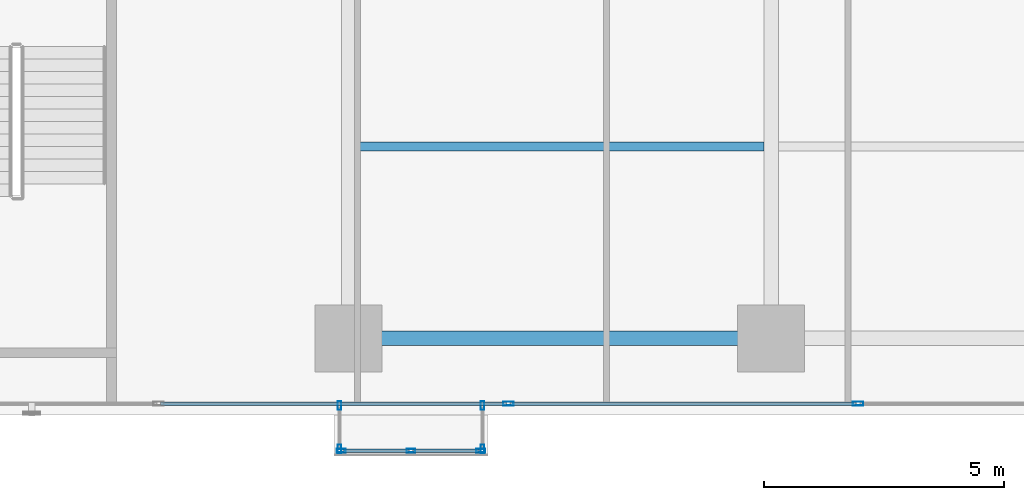
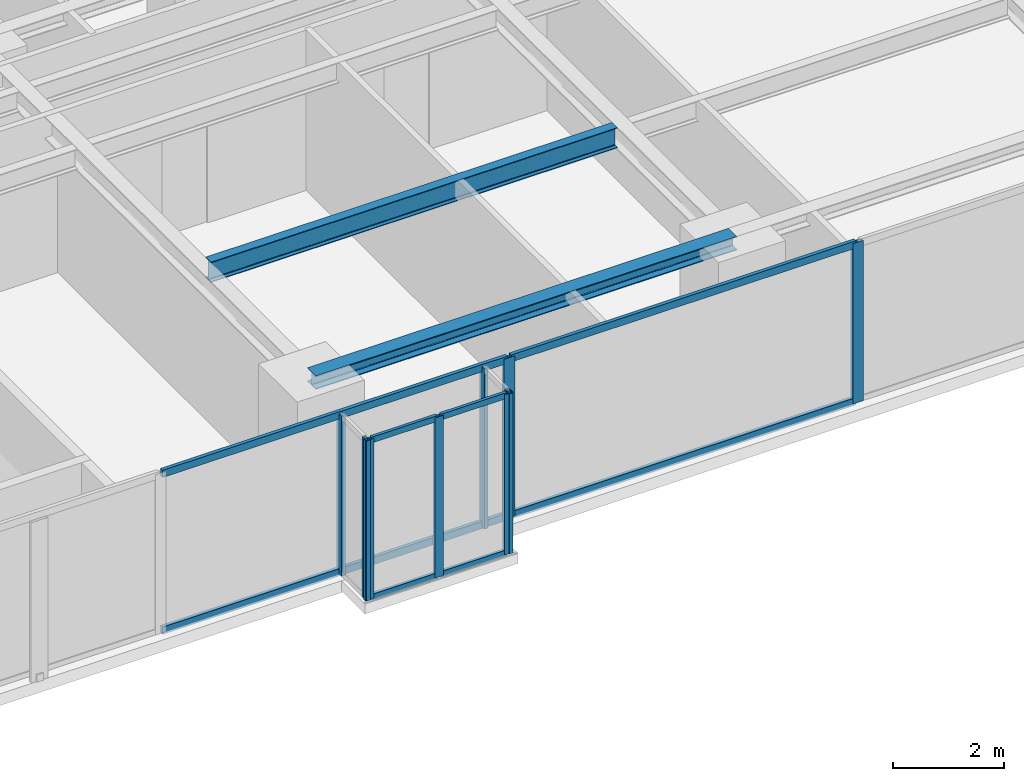
# One storey, part 11 of 28: 17 members, 2 beams, 4 elements without a shape of their own.
"""IFC4 building model written with IfcOpenShell, lengths in metres."""

from ifc_helpers import new_model, si_unit, direction, frame, origin, origin_with_axes, origin_2d, place, context, subcontext, project, spatial, hollow_rectangle, i_section, extrude, source, transform, mapped, material, layer, layer_set, material_profile, profile_set, type_object, element, aggregate, save


model = new_model("IFC4")

# Units and contexts
model_context = context("Model", 3, precision=1e-05, world=origin(), true_north=direction((0.0, 1.0)))
body_context = subcontext(model_context, "Body", "Model", "MODEL_VIEW")
ifc_project = project(units=[si_unit("LENGTHUNIT", "METRE"), si_unit("AREAUNIT", "SQUARE_METRE"), si_unit("VOLUMEUNIT", "CUBIC_METRE"), si_unit("PLANEANGLEUNIT", "RADIAN"), si_unit("MASSUNIT", "GRAM", prefix="KILO")], contexts=[model_context])

# Site, building, storey
site_placement = place(None, origin())
site = spatial("IfcSite", under=ifc_project, at=site_placement, CompositionType="ELEMENT")
building_placement = place(site_placement, origin())
building = spatial("IfcBuilding", under=site, at=building_placement, Name="Kolvaren Waterfront Exchange", CompositionType="ELEMENT")
storey_placement = place(building_placement, frame((0.0, 0.0, 103.10009765625)))
storey = spatial("IfcBuildingStorey", under=building, at=storey_placement, Name="L26", CompositionType="ELEMENT", Elevation=103.10009765625)

# Beams
ifc_material_1 = material(Name="Steel S355", Category="steel")
ifc_material_profile_1 = material_profile(ifc_material_1, i_section(OverallWidth=0.300048828125, OverallDepth=0.300048828125, WebThickness=0.010986328125, FlangeThickness=0.01904296875, FilletRadius=0.027099609375, at=origin_2d()), Name="HEB300")
ifc_profile_set_1 = profile_set([ifc_material_profile_1], Name="Steel S355")
beam_type_1 = type_object("IfcBeamType", Name="STR-BM-HEB300", PredefinedType="SPANDREL", material=ifc_profile_set_1)
beam_1_placement = place(storey_placement, frame((36.800048828125, 5.199951171875, 3.389892578125), z_axis=(1.0, 0.0, 0.0), x_axis=(0.0, 1.0, 0.0)))
element("IfcBeam", 1, at=beam_1_placement, inside=storey, type_object=beam_type_1, Name="L26 east-arm spandrel S3", PredefinedType="SPANDREL", context=body_context, shape_type="SweptSolid", body=[
    extrude(i_section(OverallWidth=0.300048828125, OverallDepth=0.300048828125, WebThickness=0.010986328125, FlangeThickness=0.01904296875, FilletRadius=0.027099609375, at=origin_2d()), origin(), (0.0, 0.0, 1.0), 8.800048828125),
])
ifc_material_profile_2 = material_profile(ifc_material_1, i_section(OverallWidth=0.18994140625, OverallDepth=0.449951171875, WebThickness=0.009521484375, FlangeThickness=0.0146484375, FilletRadius=0.02099609375, at=origin_2d()), Name="IPE450")
ifc_profile_set_2 = profile_set([ifc_material_profile_2], Name="Steel S355")
beam_type_2 = type_object("IfcBeamType", Name="STR-BM-IPE450", PredefinedType="JOIST", material=ifc_profile_set_2)
beam_2_placement = place(storey_placement, frame((36.951904296875, 9.199951171875, 3.31494140625), z_axis=(1.0, 0.0, 0.0), x_axis=(0.0, 1.0, 0.0)))
element("IfcBeam", 2, at=beam_2_placement, inside=storey, type_object=beam_type_2, Name="L26 east-arm composite joist 3B", PredefinedType="JOIST", context=body_context, shape_type="SweptSolid", body=[
    extrude(i_section(OverallWidth=0.18994140625, OverallDepth=0.449951171875, WebThickness=0.009521484375, FlangeThickness=0.0146484375, FilletRadius=0.02099609375, at=origin_2d()), origin(), (0.0, 0.0, 1.0), 8.49609375),
])

# Curtain wall, members
ifc_material_2 = material(Name="Anodised bronze aluminium 6063-T6", Category="aluminium")
ifc_layer_1 = layer(ifc_material_2, 0.219970703125, Name="Anodised bronze aluminium 6063-T6")
ifc_layer_set_1 = layer_set([ifc_layer_1], Name="Anodised bronze aluminium 6063-T6")
curtain_wall_type_1 = type_object("IfcCurtainWallType", Name="ARC-CW-SYS1", PredefinedType="USERDEFINED", material=ifc_layer_set_1)
curtain_wall_1_placement = place(storey_placement, origin())
curtain_wall_1 = element("IfcCurtainWall", 3, at=curtain_wall_1_placement, inside=storey, type_object=curtain_wall_type_1, Name="L26 stick curtain wall CW1 (CW-L26-S)", ObjectType="STICK CURTAIN WALL", PredefinedType="USERDEFINED")
ifc_material_3 = material(Name="Anodised aluminium 6063-T6", Category="aluminium")
ifc_material_profile_3 = material_profile(ifc_material_3, hollow_rectangle(XDim=0.080078125, YDim=0.219970703125, WallThickness=0.0048828125, at=origin_2d()), Name="ALU-MUL-220x80x5")
ifc_profile_set_3 = profile_set([ifc_material_profile_3], Name="Anodised aluminium 6063-T6")
member_type_1 = type_object("IfcMemberType", Name="ARC-CWM-220", PredefinedType="MULLION", material=ifc_profile_set_3)
shared_shape_1 = source(origin_with_axes(), body_context, "Body", "SweptSolid", [
    extrude(hollow_rectangle(XDim=0.080078125, YDim=0.219970703125, WallThickness=0.0048828125, at=origin_2d()), origin(), (0.0, 0.0, 1.0), 3.539794921875),
])
member_1_placement = place(storey_placement, frame((40.128662109375, 3.840087890625, 0.0), z_axis=(0.0, 0.0, 1.0), x_axis=(0.0, 1.0, 0.0)))
member_1 = element("IfcMember", 4, at=member_1_placement, type_object=member_type_1, Name="CW1 mullion 6", PredefinedType="MULLION", context=body_context, shape_type="MappedRepresentation", body=[
    mapped(shared_shape_1, transform((0.0, 0.0, 0.0), x_axis=(1.0, 0.0, 0.0), y_axis=(0.0, 1.0, 0.0), z_axis=(0.0, 0.0, 1.0), scale=1.0)),
])
member_2_placement = place(storey_placement, frame((47.414306640625, 3.840087890625, 0.0), z_axis=(0.0, 0.0, 1.0), x_axis=(0.0, 1.0, 0.0)))
member_2 = element("IfcMember", 5, at=member_2_placement, type_object=member_type_1, Name="CW1 mullion 7", PredefinedType="MULLION", context=body_context, shape_type="MappedRepresentation", body=[
    mapped(shared_shape_1, transform((0.0, 0.0, 0.0), x_axis=(1.0, 0.0, 0.0), y_axis=(0.0, 1.0, 0.0), z_axis=(0.0, 0.0, 1.0), scale=1.0)),
])

ifc_layer_2 = layer(ifc_material_2, 0.219970703125, Name="Anodised bronze aluminium 6063-T6")
ifc_layer_set_2 = layer_set([ifc_layer_2], Name="Anodised bronze aluminium 6063-T6")
curtain_wall_type_2 = type_object("IfcCurtainWallType", Name="ARC-CW-SYS3", PredefinedType="USERDEFINED", material=ifc_layer_set_2)
curtain_wall_2_placement = place(storey_placement, origin())
curtain_wall_2 = element("IfcCurtainWall", 6, at=curtain_wall_2_placement, inside=storey, type_object=curtain_wall_type_2, Name="L26 stick curtain wall CW3 (CW-L26-BOX)", ObjectType="STICK CURTAIN WALL", PredefinedType="USERDEFINED")
ifc_material_profile_4 = material_profile(ifc_material_2, hollow_rectangle(XDim=0.06494140625, YDim=0.1298828125, WallThickness=0.00390625, at=origin_2d()), Name="ALU-TRN-130x65x4")
ifc_profile_set_4 = profile_set([ifc_material_profile_4], Name="Anodised bronze aluminium 6063-T6")
member_type_2 = type_object("IfcMemberType", Name="ARC-CWT-130", PredefinedType="USERDEFINED", material=ifc_profile_set_4)
shared_shape_2 = source(origin_with_axes(), body_context, "Body", "SweptSolid", [
    extrude(hollow_rectangle(XDim=0.06494140625, YDim=0.1298828125, WallThickness=0.00390625, at=origin_2d()), origin(), (0.0, 0.0, 1.0), 1.37744140625),
])
member_3_placement = place(storey_placement, frame((36.68505859375, 2.860107421875, 0.032470703125), z_axis=(1.0, 0.0, 0.0), x_axis=(0.0, 1.0, 0.0)))
member_3 = element("IfcMember", 7, at=member_3_placement, type_object=member_type_2, Name="CW3 transom 1.1", ObjectType="TRANSOM", PredefinedType="USERDEFINED", context=body_context, shape_type="MappedRepresentation", body=[
    mapped(shared_shape_2, transform((0.0, 0.0, 0.0), x_axis=(1.0, 0.0, 0.0), y_axis=(0.0, 1.0, 0.0), z_axis=(0.0, 0.0, 1.0), scale=1.0)),
])
member_4_placement = place(storey_placement, frame((36.68505859375, 2.860107421875, 3.50732421875), z_axis=(1.0, 0.0, 0.0), x_axis=(0.0, 1.0, 0.0)))
member_4 = element("IfcMember", 8, at=member_4_placement, type_object=member_type_2, Name="CW3 transom 1.2", ObjectType="TRANSOM", PredefinedType="USERDEFINED", context=body_context, shape_type="MappedRepresentation", body=[
    mapped(shared_shape_2, transform((0.0, 0.0, 0.0), x_axis=(1.0, 0.0, 0.0), y_axis=(0.0, 1.0, 0.0), z_axis=(0.0, 0.0, 1.0), scale=1.0)),
])
member_5_placement = place(storey_placement, frame((38.137451171875, 2.860107421875, 0.032470703125), z_axis=(1.0, 0.0, 0.0), x_axis=(0.0, 1.0, 0.0)))
member_5 = element("IfcMember", 9, at=member_5_placement, type_object=member_type_2, Name="CW3 transom 2.1", ObjectType="TRANSOM", PredefinedType="USERDEFINED", context=body_context, shape_type="MappedRepresentation", body=[
    mapped(shared_shape_2, transform((0.0, 0.0, 0.0), x_axis=(1.0, 0.0, 0.0), y_axis=(0.0, 1.0, 0.0), z_axis=(0.0, 0.0, 1.0), scale=1.0)),
])
member_6_placement = place(storey_placement, frame((38.137451171875, 2.860107421875, 3.50732421875), z_axis=(1.0, 0.0, 0.0), x_axis=(0.0, 1.0, 0.0)))
member_6 = element("IfcMember", 10, at=member_6_placement, type_object=member_type_2, Name="CW3 transom 2.2", ObjectType="TRANSOM", PredefinedType="USERDEFINED", context=body_context, shape_type="MappedRepresentation", body=[
    mapped(shared_shape_2, transform((0.0, 0.0, 0.0), x_axis=(1.0, 0.0, 0.0), y_axis=(0.0, 1.0, 0.0), z_axis=(0.0, 0.0, 1.0), scale=1.0)),
])

curtain_wall_3_placement = place(storey_placement, origin())
curtain_wall_3 = element("IfcCurtainWall", 11, at=curtain_wall_3_placement, inside=storey, type_object=curtain_wall_type_2, Name="L26 stick curtain wall CW3 (CW-L26-BOX-W)", ObjectType="STICK CURTAIN WALL", PredefinedType="USERDEFINED")
ifc_material_profile_5 = material_profile(ifc_material_2, hollow_rectangle(XDim=0.074951171875, YDim=0.179931640625, WallThickness=0.00439453125, at=origin_2d()), Name="ALU-MUL-180x75x4.5")
ifc_profile_set_5 = profile_set([ifc_material_profile_5], Name="Anodised bronze aluminium 6063-T6")
member_type_3 = type_object("IfcMemberType", Name="ARC-CWM-180", PredefinedType="MULLION", material=ifc_profile_set_5)
shared_shape_3 = source(origin_with_axes(), body_context, "Body", "SweptSolid", [
    extrude(hollow_rectangle(XDim=0.074951171875, YDim=0.179931640625, WallThickness=0.00439453125, at=origin_2d()), origin(), (0.0, 0.0, 1.0), 3.539794921875),
])
member_7_placement = place(storey_placement, frame((36.610107421875, 3.802490234375, 0.0), z_axis=(0.0, 0.0, 1.0), x_axis=(1.0, 0.0, 0.0)))
member_7 = element("IfcMember", 12, at=member_7_placement, type_object=member_type_3, Name="CW3 mullion 1", PredefinedType="MULLION", context=body_context, shape_type="MappedRepresentation", body=[
    mapped(shared_shape_3, transform((0.0, 0.0, 0.0), x_axis=(1.0, 0.0, 0.0), y_axis=(0.0, 1.0, 0.0), z_axis=(0.0, 0.0, 1.0), scale=1.0)),
])
member_8_placement = place(storey_placement, frame((36.610107421875, 2.8974609375, 0.0), z_axis=(0.0, 0.0, 1.0), x_axis=(1.0, 0.0, 0.0)))
member_8 = element("IfcMember", 13, at=member_8_placement, type_object=member_type_3, Name="CW3 mullion 2", PredefinedType="MULLION", context=body_context, shape_type="MappedRepresentation", body=[
    mapped(shared_shape_3, transform((0.0, 0.0, 0.0), x_axis=(1.0, 0.0, 0.0), y_axis=(0.0, 1.0, 0.0), z_axis=(0.0, 0.0, 1.0), scale=1.0)),
])
aggregate(curtain_wall_3, [member_7, member_8])

# Member
member_9_placement = place(storey_placement, frame((36.6474609375, 2.860107421875, 0.0), z_axis=(0.0, 0.0, 1.0), x_axis=(0.0, 1.0, 0.0)))
member_9 = element("IfcMember", 14, at=member_9_placement, type_object=member_type_3, Name="CW3 mullion 1", PredefinedType="MULLION", context=body_context, shape_type="MappedRepresentation", body=[
    mapped(shared_shape_3, transform((0.0, 0.0, 0.0), x_axis=(1.0, 0.0, 0.0), y_axis=(0.0, 1.0, 0.0), z_axis=(0.0, 0.0, 1.0), scale=1.0)),
])

member_10_placement = place(storey_placement, frame((38.10009765625, 2.860107421875, 0.0), z_axis=(0.0, 0.0, 1.0), x_axis=(0.0, 1.0, 0.0)))
member_10 = element("IfcMember", 15, at=member_10_placement, type_object=member_type_3, Name="CW3 mullion 2", PredefinedType="MULLION", context=body_context, shape_type="MappedRepresentation", body=[
    mapped(shared_shape_3, transform((0.0, 0.0, 0.0), x_axis=(1.0, 0.0, 0.0), y_axis=(0.0, 1.0, 0.0), z_axis=(0.0, 0.0, 1.0), scale=1.0)),
])

member_11_placement = place(storey_placement, frame((39.552490234375, 2.860107421875, 0.0), z_axis=(0.0, 0.0, 1.0), x_axis=(0.0, 1.0, 0.0)))
member_11 = element("IfcMember", 16, at=member_11_placement, type_object=member_type_3, Name="CW3 mullion 3", PredefinedType="MULLION", context=body_context, shape_type="MappedRepresentation", body=[
    mapped(shared_shape_3, transform((0.0, 0.0, 0.0), x_axis=(1.0, 0.0, 0.0), y_axis=(0.0, 1.0, 0.0), z_axis=(0.0, 0.0, 1.0), scale=1.0)),
])

aggregate(curtain_wall_2, [member_9, member_10, member_11, member_3, member_4, member_5, member_6])

# Curtain wall, members
curtain_wall_4_placement = place(storey_placement, origin())
curtain_wall_4 = element("IfcCurtainWall", 17, at=curtain_wall_4_placement, inside=storey, type_object=curtain_wall_type_2, Name="L26 stick curtain wall CW3 (CW-L26-BOX-E)", ObjectType="STICK CURTAIN WALL", PredefinedType="USERDEFINED")
member_12_placement = place(storey_placement, frame((39.590087890625, 2.8974609375, 0.0), z_axis=(0.0, 0.0, 1.0), x_axis=(-1.0, 0.0, 0.0)))
member_12 = element("IfcMember", 18, at=member_12_placement, type_object=member_type_3, Name="CW3 mullion 1", PredefinedType="MULLION", context=body_context, shape_type="MappedRepresentation", body=[
    mapped(shared_shape_3, transform((0.0, 0.0, 0.0), x_axis=(1.0, 0.0, 0.0), y_axis=(0.0, 1.0, 0.0), z_axis=(0.0, 0.0, 1.0), scale=1.0)),
])
member_13_placement = place(storey_placement, frame((39.590087890625, 3.802490234375, 0.0), z_axis=(0.0, 0.0, 1.0), x_axis=(-1.0, 0.0, 0.0)))
member_13 = element("IfcMember", 19, at=member_13_placement, type_object=member_type_3, Name="CW3 mullion 2", PredefinedType="MULLION", context=body_context, shape_type="MappedRepresentation", body=[
    mapped(shared_shape_3, transform((0.0, 0.0, 0.0), x_axis=(1.0, 0.0, 0.0), y_axis=(0.0, 1.0, 0.0), z_axis=(0.0, 0.0, 1.0), scale=1.0)),
])
aggregate(curtain_wall_4, [member_12, member_13])

# Member
ifc_material_profile_6 = material_profile(ifc_material_3, hollow_rectangle(XDim=0.074951171875, YDim=0.159912109375, WallThickness=0.00439453125, at=origin_2d()), Name="ALU-TRN-160x75x4.5")
ifc_profile_set_6 = profile_set([ifc_material_profile_6], Name="Anodised aluminium 6063-T6")
member_type_4 = type_object("IfcMemberType", Name="ARC-CWT-160", PredefinedType="USERDEFINED", material=ifc_profile_set_6)
shared_shape_4 = source(origin_with_axes(), body_context, "Body", "SweptSolid", [
    extrude(hollow_rectangle(XDim=0.074951171875, YDim=0.159912109375, WallThickness=0.00439453125, at=origin_2d()), origin(), (0.0, 0.0, 1.0), 7.205810546875),
])
member_14_placement = place(storey_placement, frame((32.8828125, 3.840087890625, 0.037353515625), z_axis=(1.0, 0.0, 0.0), x_axis=(0.0, 1.0, 0.0)))
member_14 = element("IfcMember", 20, at=member_14_placement, type_object=member_type_4, Name="CW1 transom 5.1", ObjectType="TRANSOM", PredefinedType="USERDEFINED", context=body_context, shape_type="MappedRepresentation", body=[
    mapped(shared_shape_4, transform((0.0, 0.0, 0.0), x_axis=(1.0, 0.0, 0.0), y_axis=(0.0, 1.0, 0.0), z_axis=(0.0, 0.0, 1.0), scale=1.0)),
])

member_15_placement = place(storey_placement, frame((32.8828125, 3.840087890625, 3.50244140625), z_axis=(1.0, 0.0, 0.0), x_axis=(0.0, 1.0, 0.0)))
member_15 = element("IfcMember", 21, at=member_15_placement, type_object=member_type_4, Name="CW1 transom 5.2", ObjectType="TRANSOM", PredefinedType="USERDEFINED", context=body_context, shape_type="MappedRepresentation", body=[
    mapped(shared_shape_4, transform((0.0, 0.0, 0.0), x_axis=(1.0, 0.0, 0.0), y_axis=(0.0, 1.0, 0.0), z_axis=(0.0, 0.0, 1.0), scale=1.0)),
])

member_16_placement = place(storey_placement, frame((40.16845703125, 3.840087890625, 0.037353515625), z_axis=(1.0, 0.0, 0.0), x_axis=(0.0, 1.0, 0.0)))
member_16 = element("IfcMember", 22, at=member_16_placement, type_object=member_type_4, Name="CW1 transom 6.1", ObjectType="TRANSOM", PredefinedType="USERDEFINED", context=body_context, shape_type="MappedRepresentation", body=[
    mapped(shared_shape_4, transform((0.0, 0.0, 0.0), x_axis=(1.0, 0.0, 0.0), y_axis=(0.0, 1.0, 0.0), z_axis=(0.0, 0.0, 1.0), scale=1.0)),
])

member_17_placement = place(storey_placement, frame((40.16845703125, 3.840087890625, 3.50244140625), z_axis=(1.0, 0.0, 0.0), x_axis=(0.0, 1.0, 0.0)))
member_17 = element("IfcMember", 23, at=member_17_placement, type_object=member_type_4, Name="CW1 transom 6.2", ObjectType="TRANSOM", PredefinedType="USERDEFINED", context=body_context, shape_type="MappedRepresentation", body=[
    mapped(shared_shape_4, transform((0.0, 0.0, 0.0), x_axis=(1.0, 0.0, 0.0), y_axis=(0.0, 1.0, 0.0), z_axis=(0.0, 0.0, 1.0), scale=1.0)),
])

aggregate(curtain_wall_1, [member_1, member_2, member_14, member_15, member_16, member_17])

save(model, "model.ifc")
